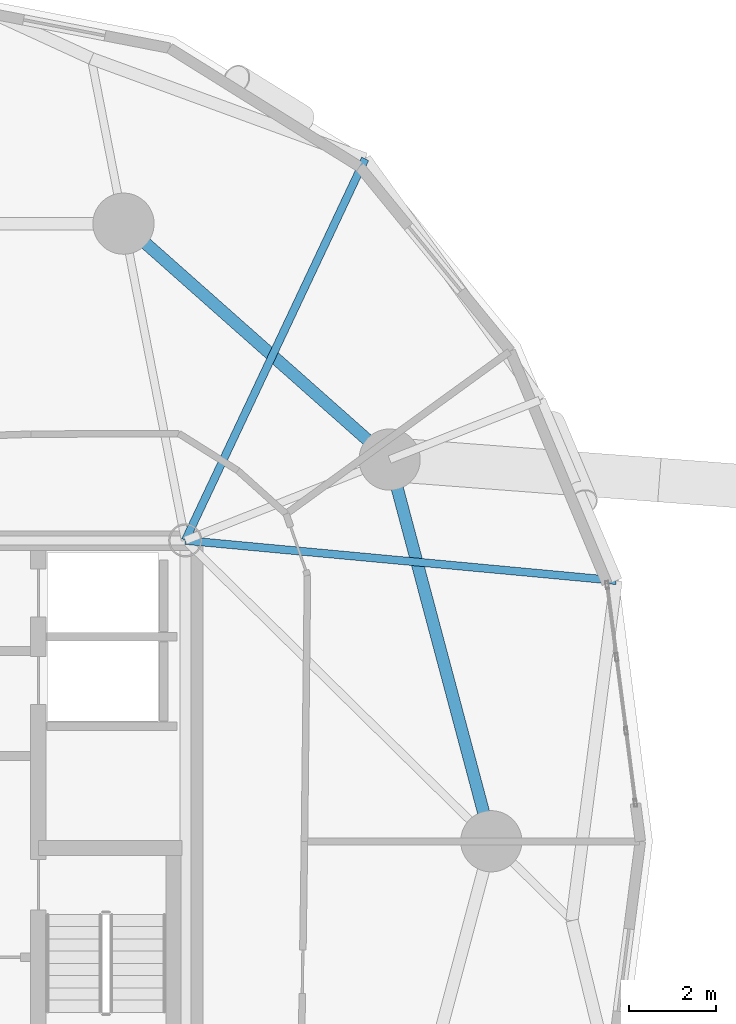
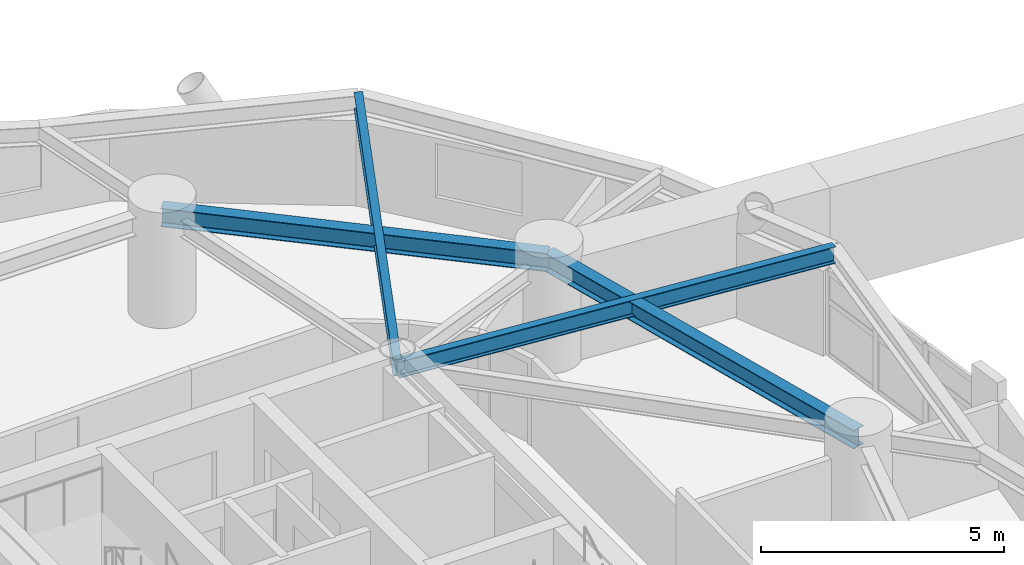
# One storey, part 3 of 18: 4 beams.
"""IFC4 building model written with IfcOpenShell, lengths in metres."""

from ifc_helpers import new_model, si_unit, direction, frame, origin, origin_2d, place, context, subcontext, project, spatial, i_section, extrude, material, material_profile, profile_set, type_object, element, save


model = new_model("IFC4")

# Units and contexts
model_context = context("Model", 3, precision=1e-05, world=origin(), true_north=direction((0.0, 1.0)))
body_context = subcontext(model_context, "Body", "Model", "MODEL_VIEW")
ifc_project = project(units=[si_unit("LENGTHUNIT", "METRE"), si_unit("AREAUNIT", "SQUARE_METRE"), si_unit("VOLUMEUNIT", "CUBIC_METRE"), si_unit("PLANEANGLEUNIT", "RADIAN"), si_unit("MASSUNIT", "GRAM", prefix="KILO")], contexts=[model_context])

# Site, building, storey
site_placement = place(None, origin())
site = spatial("IfcSite", under=ifc_project, at=site_placement, CompositionType="ELEMENT")
building_placement = place(site_placement, origin())
building = spatial("IfcBuilding", under=site, at=building_placement, Name="Cununo Teusaquillo Station Towers", CompositionType="ELEMENT")
storey_placement = place(building_placement, frame((0.0, 0.0, 122.530029296875)))
storey = spatial("IfcBuildingStorey", under=building, at=storey_placement, Name="L39", CompositionType="ELEMENT", Elevation=122.530029296875)

# Beams
ifc_material_1 = material(Name="Steel ASTM A572 Grade 50", Category="steel")
ifc_material_profile_1 = material_profile(ifc_material_1, i_section(OverallWidth=0.180908203125, OverallDepth=0.4169921875, WebThickness=0.010986328125, FlangeThickness=0.018310546875, FilletRadius=0.012939453125, at=origin_2d()), Name="W16X57")
ifc_profile_set_1 = profile_set([ifc_material_profile_1], Name="Steel ASTM A572 Grade 50")
beam_type_1 = type_object("IfcBeamType", Name="BM-JOIST-1", PredefinedType="JOIST", material=ifc_profile_set_1)
beam_1_placement = place(storey_placement, frame((21.675048828125, 31.3798828125, 2.42138671875), z_axis=(0.995678537907, -0.09286683558, 0.0), x_axis=(0.09286683558, 0.995678537907, 0.0)))
element("IfcBeam", 1, at=beam_1_placement, inside=storey, type_object=beam_type_1, Name="L39 Tower A Radial Spandrel Joist V01", PredefinedType="JOIST", context=body_context, shape_type="SweptSolid", body=[
    extrude(i_section(OverallWidth=0.180908203125, OverallDepth=0.4169921875, WebThickness=0.010986328125, FlangeThickness=0.018310546875, FilletRadius=0.012939453125, at=origin_2d()), origin(), (0.0, 0.0, 1.0), 9.895263671875),
])
beam_2_placement = place(storey_placement, frame((21.675048828125, 31.3798828125, 2.42138671875), z_axis=(0.426319838016, 0.904572493344, 0.0), x_axis=(-0.904572493344, 0.426319838016, 0.0)))
element("IfcBeam", 2, at=beam_2_placement, inside=storey, type_object=beam_type_1, Name="L39 Tower A Radial Spandrel Joist V03", PredefinedType="JOIST", context=body_context, shape_type="SweptSolid", body=[
    extrude(i_section(OverallWidth=0.180908203125, OverallDepth=0.4169921875, WebThickness=0.010986328125, FlangeThickness=0.018310546875, FilletRadius=0.012939453125, at=origin_2d()), origin(), (0.0, 0.0, 1.0), 9.646728515625),
])
ifc_material_2 = material(Name="Steel ASTM A572 Grade 50", Category="steel")
ifc_material_profile_2 = material_profile(ifc_material_2, i_section(OverallWidth=0.280029296875, OverallDepth=0.462890625, WebThickness=0.0107421875, FlangeThickness=0.017333984375, FilletRadius=0.013916015625, at=origin_2d()), Name="W18X76")
ifc_profile_set_2 = profile_set([ifc_material_profile_2], Name="Steel ASTM A572 Grade 50")
beam_type_2 = type_object("IfcBeamType", Name="BM-RING-Z2", PredefinedType="SPANDREL", material=ifc_profile_set_2)
beam_3_placement = place(storey_placement, frame((28.672119140625, 24.5, 2.3984375), z_axis=(-0.257363196347, 0.966314744359, 0.0), x_axis=(-0.966314744359, -0.257363196347, 0.0)))
element("IfcBeam", 3, at=beam_3_placement, inside=storey, type_object=beam_type_2, Name="L39 Tower A Structural Column Ring Girder 01", PredefinedType="SPANDREL", context=body_context, shape_type="SweptSolid", body=[
    extrude(i_section(OverallWidth=0.280029296875, OverallDepth=0.462890625, WebThickness=0.0107421875, FlangeThickness=0.017333984375, FilletRadius=0.013916015625, at=origin_2d()), origin(), (0.0, 0.0, 1.0), 9.03271484375),
])
beam_4_placement = place(storey_placement, frame((26.347412109375, 33.228515625, 2.3984375), z_axis=(-0.74832120039, 0.66333655187, 0.0), x_axis=(-0.66333655187, -0.74832120039, 0.0)))
element("IfcBeam", 4, at=beam_4_placement, inside=storey, type_object=beam_type_2, Name="L39 Tower A Structural Column Ring Girder 02", PredefinedType="SPANDREL", context=body_context, shape_type="SweptSolid", body=[
    extrude(i_section(OverallWidth=0.280029296875, OverallDepth=0.462890625, WebThickness=0.0107421875, FlangeThickness=0.017333984375, FilletRadius=0.013916015625, at=origin_2d()), origin(), (0.0, 0.0, 1.0), 8.1328125),
])

save(model, "model.ifc")
